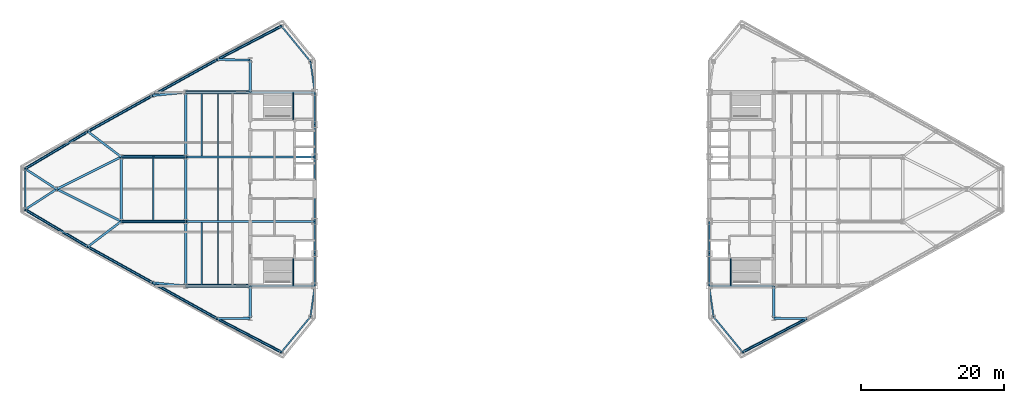
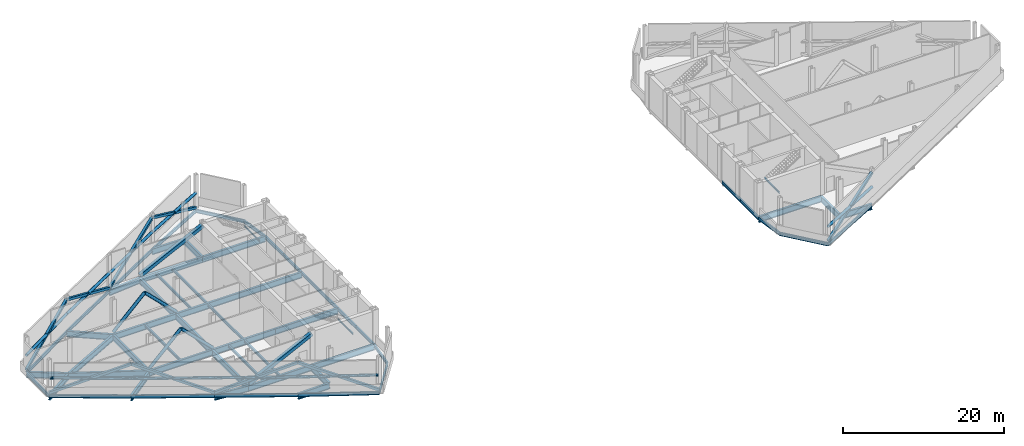
# One storey, part 3 of 11: 61 beams, 24 members.
"""IFC4 building model written with IfcOpenShell, lengths in metres."""

from ifc_helpers import new_model, si_unit, direction, frame, origin, origin_2d, place, context, subcontext, project, spatial, hollow_rectangle, hollow_circle, i_section, extrude, source, transform, mapped, material, material_profile, profile_set, type_object, type_shapes, element, save


model = new_model("IFC4")

# Units and contexts
model_context = context("Model", 3, precision=1e-05, world=origin(), true_north=direction((0.0, 1.0)))
body_context = subcontext(model_context, "Body", "Model", "MODEL_VIEW")
ifc_project = project(units=[si_unit("LENGTHUNIT", "METRE"), si_unit("AREAUNIT", "SQUARE_METRE"), si_unit("VOLUMEUNIT", "CUBIC_METRE"), si_unit("PLANEANGLEUNIT", "RADIAN"), si_unit("MASSUNIT", "GRAM", prefix="KILO")], contexts=[model_context])

# Site, building, storey
site_placement = place(None, origin())
site = spatial("IfcSite", under=ifc_project, at=site_placement, CompositionType="ELEMENT")
building_placement = place(site_placement, origin())
building = spatial("IfcBuilding", under=site, at=building_placement, Name="Seokmaru Belvedere", CompositionType="ELEMENT")
storey_placement = place(building_placement, frame((0.0, 0.0, 162.0)))
storey = spatial("IfcBuildingStorey", under=building, at=storey_placement, Name="L43", CompositionType="ELEMENT", Elevation=162.0)

# Beams
ifc_material_1 = material(Name="Steel SM355 (355 MPa)", Category="steel")
ifc_material_profile_1 = material_profile(ifc_material_1, i_section(OverallWidth=0.199951171875, OverallDepth=0.5, WebThickness=0.010009765625, FlangeThickness=0.01611328125, at=origin_2d()), Name="H-500x200x10x16")
ifc_profile_set_1 = profile_set([ifc_material_profile_1], Name="Steel SM355 (355 MPa)")
beam_type_1 = type_object("IfcBeamType", Name="Perimeter Spandrel Beam H-500", PredefinedType="SPANDREL", material=ifc_profile_set_1)
shared_shape_1 = source(origin(), body_context, "Body", "SweptSolid", [
    extrude(i_section(OverallWidth=0.199951171875, OverallDepth=0.5, WebThickness=0.010009765625, FlangeThickness=0.01611328125, at=origin_2d()), origin(), (0.0, 0.0, 1.0), 4.5),
])
for number, where, z_axis, x_axis, name in (
    (1, (-27.5, -13.5, -0.510009765625), (0.0, 1.0, 0.0), (-1.0, 0.0, 0.0), "L43 W Portal Spine Spandrel 1"),
    (2, (-27.5, -9.0, -0.510009765625), (0.0, 1.0, 0.0), (-1.0, 0.0, 0.0), "L43 W Portal Spine Spandrel 2"),
    (3, (-27.5, 4.5, -0.510009765625), (0.0, 1.0, 0.0), (-1.0, 0.0, 0.0), "L43 W Portal Spine Spandrel 4"),
    (4, (-27.5, 9.0, -0.510009765625), (0.0, 1.0, 0.0), (-1.0, 0.0, 0.0), "L43 W Portal Spine Spandrel 5"),
    (5, (27.5, -13.5, -0.510009765625), (0.0, 1.0, 0.0), (-1.0, 0.0, 0.0), "L43 E Portal Spine Spandrel 1"),
    (6, (27.5, -9.0, -0.510009765625), (0.0, 1.0, 0.0), (-1.0, 0.0, 0.0), "L43 E Portal Spine Spandrel 2"),
):
    element("IfcBeam", number, at=place(storey_placement, frame(where, z_axis=z_axis, x_axis=x_axis)), inside=storey, type_object=beam_type_1, Name=name, PredefinedType="SPANDREL", context=body_context, shape_type="MappedRepresentation", body=[
        mapped(shared_shape_1, transform((0.0, 0.0, 0.0), scale=1.0)),
    ])
shared_shape_2 = source(origin(), body_context, "Body", "SweptSolid", [
    extrude(i_section(OverallWidth=0.199951171875, OverallDepth=0.5, WebThickness=0.010009765625, FlangeThickness=0.01611328125, at=origin_2d()), origin(), (0.0, 0.0, 1.0), 9.0),
])
beam_1_placement = place(storey_placement, frame((-27.5, -4.5, -0.510009765625), z_axis=(0.0, 1.0, 0.0), x_axis=(-1.0, 0.0, 0.0)))
element("IfcBeam", 7, at=beam_1_placement, inside=storey, type_object=beam_type_1, Name="L43 W Portal Spine Spandrel 3", PredefinedType="SPANDREL", context=body_context, shape_type="MappedRepresentation", body=[
    mapped(shared_shape_2, transform((0.0, 0.0, 0.0), scale=1.0)),
])
ifc_material_profile_2 = material_profile(ifc_material_1, i_section(OverallWidth=0.300048828125, OverallDepth=0.89990234375, WebThickness=0.01611328125, FlangeThickness=0.028076171875, at=origin_2d()), Name="H-900x300x16x28")
ifc_profile_set_2 = profile_set([ifc_material_profile_2], Name="Steel SM355 (355 MPa)")
beam_type_2 = type_object("IfcBeamType", Name="Refuge Floor Girder H-900", PredefinedType="BEAM", material=ifc_profile_set_2)
shared_shape_3 = source(origin(), body_context, "Body", "SweptSolid", [
    extrude(i_section(OverallWidth=0.300048828125, OverallDepth=0.89990234375, WebThickness=0.01611328125, FlangeThickness=0.028076171875, at=origin_2d()), origin(), (0.0, 0.0, 1.0), 4.5),
])
for number, where, z_axis, x_axis, name in (
    (8, (-36.5, -18.0, -0.7099609375), (0.0, 1.0, 0.0), (-1.0, 0.0, 0.0), "L43 W Core Shoulder Girder S"),
    (9, (-36.5, 13.5, -0.7099609375), (0.0, 1.0, 0.0), (-1.0, 0.0, 0.0), "L43 W Core Shoulder Girder N"),
    (10, (36.5, -18.0, -0.7099609375), (0.0, 1.0, 0.0), (-1.0, 0.0, 0.0), "L43 E Core Shoulder Girder S"),
):
    element("IfcBeam", number, at=place(storey_placement, frame(where, z_axis=z_axis, x_axis=x_axis)), inside=storey, type_object=beam_type_2, Name=name, PredefinedType="BEAM", context=body_context, shape_type="MappedRepresentation", body=[
        mapped(shared_shape_3, transform((0.0, 0.0, 0.0), scale=1.0)),
    ])
shared_shape_4 = source(origin(), body_context, "Body", "SweptSolid", [
    extrude(i_section(OverallWidth=0.300048828125, OverallDepth=0.89990234375, WebThickness=0.01611328125, FlangeThickness=0.028076171875, at=origin_2d()), origin(), (0.0, 0.0, 1.0), 9.0),
])
for number, where, z_axis, x_axis, name in (
    (11, (-45.5, -13.5, -0.7099609375), (0.0, 1.0, 0.0), (-1.0, 0.0, 0.0), "L43 W Interior Grid Girder 1"),
    (12, (-45.5, -4.5, -0.7099609375), (0.0, 1.0, 0.0), (-1.0, 0.0, 0.0), "L43 W Interior Grid Girder 2"),
    (13, (-45.5, 4.5, -0.7099609375), (0.0, 1.0, 0.0), (-1.0, 0.0, 0.0), "L43 W Interior Grid Girder 3"),
    (14, (-36.5, -13.5, -0.7099609375), (1.0, 0.0, 0.0), (0.0, 1.0, 0.0), "L43 W Core Tie Girder 1"),
    (15, (-45.5, -13.5, -0.7099609375), (1.0, 0.0, 0.0), (0.0, 1.0, 0.0), "L43 W Wing Primary Girder 1"),
    (16, (-36.5, -4.5, -0.7099609375), (1.0, 0.0, 0.0), (0.0, 1.0, 0.0), "L43 W Core Tie Girder 2"),
    (17, (-45.5, -4.5, -0.7099609375), (1.0, 0.0, 0.0), (0.0, 1.0, 0.0), "L43 W Wing Primary Girder 2"),
    (18, (-36.5, 4.5, -0.7099609375), (1.0, 0.0, 0.0), (0.0, 1.0, 0.0), "L43 W Core Tie Girder 3"),
    (19, (-45.5, 4.5, -0.7099609375), (1.0, 0.0, 0.0), (0.0, 1.0, 0.0), "L43 W Wing Primary Girder 3"),
    (20, (-36.5, 13.5, -0.7099609375), (1.0, 0.0, 0.0), (0.0, 1.0, 0.0), "L43 W Core Tie Girder 4"),
    (21, (-45.5, 13.5, -0.7099609375), (1.0, 0.0, 0.0), (0.0, 1.0, 0.0), "L43 W Wing Primary Girder 4"),
    (22, (-54.5, -4.5, -0.7099609375), (1.0, 0.0, 0.0), (0.0, 1.0, 0.0), "L43 W Outer Wing Girder 1"),
    (23, (-54.5, 4.5, -0.7099609375), (1.0, 0.0, 0.0), (0.0, 1.0, 0.0), "L43 W Outer Wing Girder 2"),
    (24, (-54.5, -4.5, -0.7099609375), (0.0, 1.0, 0.0), (-1.0, 0.0, 0.0), "L43 W Apex Frame Girder"),
    (25, (27.5, -13.5, -0.7099609375), (1.0, 0.0, 0.0), (0.0, 1.0, 0.0), "L43 E Core Tie Girder 1"),
):
    element("IfcBeam", number, at=place(storey_placement, frame(where, z_axis=z_axis, x_axis=x_axis)), inside=storey, type_object=beam_type_2, Name=name, PredefinedType="BEAM", context=body_context, shape_type="MappedRepresentation", body=[
        mapped(shared_shape_4, transform((0.0, 0.0, 0.0), scale=1.0)),
    ])
shared_shape_5 = source(origin(), body_context, "Body", "SweptSolid", [
    extrude(i_section(OverallWidth=0.300048828125, OverallDepth=0.89990234375, WebThickness=0.01611328125, FlangeThickness=0.028076171875, at=origin_2d()), origin(), (0.0, 0.0, 1.0), 10.062255859375),
])
for number, where, z_axis, x_axis, name in (
    (26, (-54.5, -4.5, -0.7099609375), (-0.894427191, 0.4472135955, 0.0), (-0.4472135955, -0.894427191, 0.0), "L43 W Apex Converging Girder 1"),
    (27, (-54.5, 4.5, -0.7099609375), (-0.894427191, -0.4472135955, 0.0), (0.4472135955, -0.894427191, 0.0), "L43 W Apex Converging Girder 2"),
):
    element("IfcBeam", number, at=place(storey_placement, frame(where, z_axis=z_axis, x_axis=x_axis)), inside=storey, type_object=beam_type_2, Name=name, PredefinedType="BEAM", context=body_context, shape_type="MappedRepresentation", body=[
        mapped(shared_shape_5, transform((0.0, 0.0, 0.0), scale=1.0)),
    ])
ifc_material_profile_3 = material_profile(ifc_material_1, i_section(OverallWidth=0.199951171875, OverallDepth=0.39990234375, WebThickness=0.008056640625, FlangeThickness=0.012939453125, at=origin_2d()), Name="H-400x200x8x13")
ifc_profile_set_3 = profile_set([ifc_material_profile_3], Name="Steel SM355 (355 MPa)")
beam_type_3 = type_object("IfcBeamType", Name="Secondary Floor Joist H-400", PredefinedType="JOIST", material=ifc_profile_set_3)
shared_shape_6 = source(origin(), body_context, "Body", "SweptSolid", [
    extrude(i_section(OverallWidth=0.199951171875, OverallDepth=0.39990234375, WebThickness=0.008056640625, FlangeThickness=0.012939453125, at=origin_2d()), origin(), (0.0, 0.0, 1.0), 8.68994140625),
])
type_shapes(beam_type_3, [shared_shape_6])
for number, where, z_axis, x_axis, name in (
    (28, (-43.25, -13.344970703125, -0.4599609375), (0.0, 1.0, 0.0), (-1.0, 0.0, 0.0), "L43 W Wing Inner Secondary Joist 1"),
    (29, (-43.25, 4.655029296875, -0.4599609375), (0.0, 1.0, 0.0), (-1.0, 0.0, 0.0), "L43 W Wing Inner Secondary Joist 2"),
    (30, (-41.0, -13.344970703125, -0.4599609375), (0.0, 1.0, 0.0), (-1.0, 0.0, 0.0), "L43 W Secondary Floor Joist 1"),
    (31, (-41.0, -4.344970703125, -0.4599609375), (0.0, 1.0, 0.0), (-1.0, 0.0, 0.0), "L43 W Secondary Floor Joist 2"),
    (32, (-41.0, 4.655029296875, -0.4599609375), (0.0, 1.0, 0.0), (-1.0, 0.0, 0.0), "L43 W Secondary Floor Joist 3"),
    (33, (-50.0, -4.344970703125, -0.4599609375), (0.0, 1.0, 0.0), (-1.0, 0.0, 0.0), "L43 W Outer Bay Secondary Joist"),
):
    element("IfcBeam", number, at=place(storey_placement, frame(where, z_axis=z_axis, x_axis=x_axis)), inside=storey, type_object=beam_type_3, Name=name, PredefinedType="JOIST", context=body_context, shape_type="MappedRepresentation", body=[
        mapped(shared_shape_6, transform((0.0, 0.0, 0.0), scale=1.0)),
    ])
shared_shape_7 = source(origin(), body_context, "Body", "SweptSolid", [
    extrude(i_section(OverallWidth=0.199951171875, OverallDepth=0.5, WebThickness=0.010009765625, FlangeThickness=0.01611328125, at=origin_2d()), origin(), (0.0, 0.0, 1.0), 10.09716796875),
])
for number, where, z_axis, x_axis, name in (
    (34, (-32.146728515625, -22.731689453125, -0.510009765625), (-0.887085728914, 0.461604711369, 0.0), (-0.461604711369, -0.887085728914, 0.0), "L43 W Faceted Flank Spandrel S-1"),
    (35, (-32.146728515625, 22.731689453125, -0.510009765625), (-0.887085728914, -0.461604711369, 0.0), (0.461604711369, -0.887085728914, 0.0), "L43 W Faceted Flank Spandrel N-1"),
    (36, (32.146728515625, -22.731689453125, -0.510009765625), (0.887085728914, 0.461604711369, 0.0), (-0.461604711369, 0.887085728914, 0.0), "L43 E Faceted Flank Spandrel S-1"),
):
    element("IfcBeam", number, at=place(storey_placement, frame(where, z_axis=z_axis, x_axis=x_axis)), inside=storey, type_object=beam_type_1, Name=name, PredefinedType="SPANDREL", context=body_context, shape_type="MappedRepresentation", body=[
        mapped(shared_shape_7, transform((0.0, 0.0, 0.0), scale=1.0)),
    ])
shared_shape_8 = source(origin(), body_context, "Body", "SweptSolid", [
    extrude(i_section(OverallWidth=0.199951171875, OverallDepth=0.5, WebThickness=0.010009765625, FlangeThickness=0.01611328125, at=origin_2d()), origin(), (0.0, 0.0, 1.0), 10.327392578125),
])
for number, where, z_axis, x_axis, name in (
    (37, (-41.103759765625, -18.07080078125, -0.510009765625), (-0.873924120588, 0.486062374037, 0.0), (-0.486062374037, -0.873924120588, 0.0), "L43 W Faceted Flank Spandrel S-2"),
    (38, (-50.129150390625, -13.051025390625, -0.510009765625), (-0.873934162361, 0.48604431882, 0.0), (-0.48604431882, -0.873934162361, 0.0), "L43 W Faceted Flank Spandrel S-3"),
    (39, (-41.103759765625, 18.07080078125, -0.510009765625), (-0.873924120588, -0.486062374037, 0.0), (0.486062374037, -0.873924120588, 0.0), "L43 W Faceted Flank Spandrel N-2"),
    (40, (-50.129150390625, 13.051025390625, -0.510009765625), (-0.873934162361, -0.48604431882, 0.0), (0.48604431882, -0.873934162361, 0.0), "L43 W Faceted Flank Spandrel N-3"),
):
    element("IfcBeam", number, at=place(storey_placement, frame(where, z_axis=z_axis, x_axis=x_axis)), inside=storey, type_object=beam_type_1, Name=name, PredefinedType="SPANDREL", context=body_context, shape_type="MappedRepresentation", body=[
        mapped(shared_shape_8, transform((0.0, 0.0, 0.0), scale=1.0)),
    ])
shared_shape_9 = source(origin(), body_context, "Body", "SweptSolid", [
    extrude(i_section(OverallWidth=0.199951171875, OverallDepth=0.5, WebThickness=0.010009765625, FlangeThickness=0.01611328125, at=origin_2d()), origin(), (0.0, 0.0, 1.0), 10.16650390625),
])
for number, where, z_axis, x_axis, name in (
    (41, (-59.154541015625, -8.031494140625, -0.510009765625), (-0.860209996506, 0.509939959124, 0.0), (-0.509939959124, -0.860209996506, 0.0), "L43 W Faceted Flank Spandrel S-4"),
    (42, (-59.154541015625, 8.031494140625, -0.510009765625), (-0.860209996506, -0.509939959124, 0.0), (0.509939959124, -0.860209996506, 0.0), "L43 W Faceted Flank Spandrel N-4"),
):
    element("IfcBeam", number, at=place(storey_placement, frame(where, z_axis=z_axis, x_axis=x_axis)), inside=storey, type_object=beam_type_1, Name=name, PredefinedType="SPANDREL", context=body_context, shape_type="MappedRepresentation", body=[
        mapped(shared_shape_9, transform((0.0, 0.0, 0.0), scale=1.0)),
    ])
shared_shape_10 = source(origin(), body_context, "Body", "SweptSolid", [
    extrude(i_section(OverallWidth=0.199951171875, OverallDepth=0.5, WebThickness=0.010009765625, FlangeThickness=0.01611328125, at=origin_2d()), origin(), (0.0, 0.0, 1.0), 5.6943359375),
])
beam_2_placement = place(storey_placement, frame((-67.89990234375, -2.84716796875, -0.510009765625), z_axis=(0.0, 1.0, 0.0), x_axis=(-1.0, 0.0, 0.0)))
element("IfcBeam", 43, at=beam_2_placement, inside=storey, type_object=beam_type_1, Name="L43 W Faceted Apex Spandrel", PredefinedType="SPANDREL", context=body_context, shape_type="MappedRepresentation", body=[
    mapped(shared_shape_10, transform((0.0, 0.0, 0.0), scale=1.0)),
])
shared_shape_11 = source(origin(), body_context, "Body", "SweptSolid", [
    extrude(i_section(OverallWidth=0.199951171875, OverallDepth=0.5, WebThickness=0.010009765625, FlangeThickness=0.01611328125, at=origin_2d()), origin(), (0.0, 0.0, 1.0), 6.390380859375),
])
for number, where, z_axis, x_axis, name in (
    (44, (-32.146728515625, -22.731689453125, -0.510009765625), (0.63324403161, 0.7739521926, 0.0), (-0.7739521926, 0.63324403161, 0.0), "L43 W Shoulder Chamfer Spandrel S"),
    (45, (-32.146728515625, 22.731689453125, -0.510009765625), (0.63324403161, -0.7739521926, 0.0), (0.7739521926, 0.63324403161, 0.0), "L43 W Shoulder Chamfer Spandrel N"),
    (46, (32.146728515625, -22.731689453125, -0.510009765625), (-0.63324403161, 0.7739521926, 0.0), (-0.7739521926, -0.63324403161, 0.0), "L43 E Shoulder Chamfer Spandrel S"),
):
    element("IfcBeam", number, at=place(storey_placement, frame(where, z_axis=z_axis, x_axis=x_axis)), inside=storey, type_object=beam_type_1, Name=name, PredefinedType="SPANDREL", context=body_context, shape_type="MappedRepresentation", body=[
        mapped(shared_shape_11, transform((0.0, 0.0, 0.0), scale=1.0)),
    ])
shared_shape_12 = source(origin(), body_context, "Body", "SweptSolid", [
    extrude(i_section(OverallWidth=0.199951171875, OverallDepth=0.5, WebThickness=0.010009765625, FlangeThickness=0.01611328125, at=origin_2d()), origin(), (0.0, 0.0, 1.0), 4.32763671875),
])
type_shapes(beam_type_1, [shared_shape_1, shared_shape_2, shared_shape_7, shared_shape_8, shared_shape_9, shared_shape_10, shared_shape_11, shared_shape_12])
for number, where, z_axis, x_axis, name in (
    (47, (-28.10009765625, -17.785888671875, -0.510009765625), (0.138664443237, 0.990339422714, 0.0), (-0.990339422714, 0.138664443237, 0.0), "L43 W Shoulder Spine Spandrel S"),
    (48, (-28.10009765625, 17.785888671875, -0.510009765625), (0.138664443237, -0.990339422714, 0.0), (0.990339422714, 0.138664443237, 0.0), "L43 W Shoulder Spine Spandrel N"),
    (49, (28.10009765625, -17.785888671875, -0.510009765625), (-0.138664443237, 0.990339422714, 0.0), (-0.990339422714, -0.138664443237, 0.0), "L43 E Shoulder Spine Spandrel S"),
):
    element("IfcBeam", number, at=place(storey_placement, frame(where, z_axis=z_axis, x_axis=x_axis)), inside=storey, type_object=beam_type_1, Name=name, PredefinedType="SPANDREL", context=body_context, shape_type="MappedRepresentation", body=[
        mapped(shared_shape_12, transform((0.0, 0.0, 0.0), scale=1.0)),
    ])
shared_shape_13 = source(origin(), body_context, "Body", "SweptSolid", [
    extrude(i_section(OverallWidth=0.300048828125, OverallDepth=0.89990234375, WebThickness=0.01611328125, FlangeThickness=0.028076171875, at=origin_2d()), origin(), (0.0, 0.0, 1.0), 4.604248046875),
])
for number, where, z_axis, x_axis, name in (
    (50, (-41.103759765625, -18.07080078125, -0.7099609375), (0.999881765622, 0.01537708607, 0.0), (-0.01537708607, 0.999881765622, 0.0), "L43 W Flank Radial Floor Girder S-1"),
    (51, (-41.103759765625, 18.07080078125, -0.7099609375), (0.999881765622, -0.01537708607, 0.0), (0.01537708607, 0.999881765622, 0.0), "L43 W Flank Radial Floor Girder N-1"),
    (52, (41.103759765625, -18.07080078125, -0.7099609375), (-0.999881765622, 0.01537708607, 0.0), (-0.01537708607, -0.999881765622, 0.0), "L43 E Flank Radial Floor Girder S-1"),
):
    element("IfcBeam", number, at=place(storey_placement, frame(where, z_axis=z_axis, x_axis=x_axis)), inside=storey, type_object=beam_type_2, Name=name, PredefinedType="BEAM", context=body_context, shape_type="MappedRepresentation", body=[
        mapped(shared_shape_13, transform((0.0, 0.0, 0.0), scale=1.0)),
    ])
shared_shape_14 = source(origin(), body_context, "Body", "SweptSolid", [
    extrude(i_section(OverallWidth=0.300048828125, OverallDepth=0.89990234375, WebThickness=0.01611328125, FlangeThickness=0.028076171875, at=origin_2d()), origin(), (0.0, 0.0, 1.0), 4.65087890625),
])
for number, where, z_axis, x_axis, name in (
    (53, (-50.129150390625, -13.051025390625, -0.7099609375), (0.995329534874, -0.09653557379, 0.0), (0.09653557379, 0.995329534874, 0.0), "L43 W Flank Radial Floor Girder S-2"),
    (54, (-50.129150390625, 13.051025390625, -0.7099609375), (0.995329534874, 0.09653557379, 0.0), (-0.09653557379, 0.995329534874, 0.0), "L43 W Flank Radial Floor Girder N-2"),
):
    element("IfcBeam", number, at=place(storey_placement, frame(where, z_axis=z_axis, x_axis=x_axis)), inside=storey, type_object=beam_type_2, Name=name, PredefinedType="BEAM", context=body_context, shape_type="MappedRepresentation", body=[
        mapped(shared_shape_14, transform((0.0, 0.0, 0.0), scale=1.0)),
    ])
shared_shape_15 = source(origin(), body_context, "Body", "SweptSolid", [
    extrude(i_section(OverallWidth=0.300048828125, OverallDepth=0.89990234375, WebThickness=0.01611328125, FlangeThickness=0.028076171875, at=origin_2d()), origin(), (0.0, 0.0, 1.0), 5.842529296875),
])
for number, where, z_axis, x_axis, name in (
    (55, (-59.154541015625, -8.031494140625, -0.7099609375), (0.796653109879, 0.604436781243, 0.0), (-0.604436781243, 0.796653109879, 0.0), "L43 W Flank Radial Floor Girder S-3"),
    (56, (-59.154541015625, 8.031494140625, -0.7099609375), (0.796653109879, -0.604436781243, 0.0), (0.604436781243, 0.796653109879, 0.0), "L43 W Flank Radial Floor Girder N-3"),
):
    element("IfcBeam", number, at=place(storey_placement, frame(where, z_axis=z_axis, x_axis=x_axis)), inside=storey, type_object=beam_type_2, Name=name, PredefinedType="BEAM", context=body_context, shape_type="MappedRepresentation", body=[
        mapped(shared_shape_15, transform((0.0, 0.0, 0.0), scale=1.0)),
    ])
shared_shape_16 = source(origin(), body_context, "Body", "SweptSolid", [
    extrude(i_section(OverallWidth=0.300048828125, OverallDepth=0.89990234375, WebThickness=0.01611328125, FlangeThickness=0.028076171875, at=origin_2d()), origin(), (0.0, 0.0, 1.0), 5.24072265625),
])
type_shapes(beam_type_2, [shared_shape_3, shared_shape_4, shared_shape_5, shared_shape_13, shared_shape_14, shared_shape_15, shared_shape_16])
for number, where, z_axis, x_axis, name in (
    (57, (-67.89990234375, -2.84716796875, -0.7099609375), (0.839555158729, 0.543274456836, 0.0), (-0.543274456836, 0.839555158729, 0.0), "L43 W Apex Radial Floor Girder 1"),
    (58, (-67.89990234375, 2.84716796875, -0.7099609375), (0.839555158729, -0.543274456836, 0.0), (0.543274456836, 0.839555158729, 0.0), "L43 W Apex Radial Floor Girder 2"),
):
    element("IfcBeam", number, at=place(storey_placement, frame(where, z_axis=z_axis, x_axis=x_axis)), inside=storey, type_object=beam_type_2, Name=name, PredefinedType="BEAM", context=body_context, shape_type="MappedRepresentation", body=[
        mapped(shared_shape_16, transform((0.0, 0.0, 0.0), scale=1.0)),
    ])

# Members
ifc_material_2 = material(Name="Steel HSA650 (650 MPa)", Category="steel")
ifc_material_profile_4 = material_profile(ifc_material_2, hollow_rectangle(XDim=0.5, YDim=0.5, WallThickness=0.02001953125, at=origin_2d()), Name="HSS-500x500x20")
ifc_profile_set_4 = profile_set([ifc_material_profile_4], Name="Steel HSA650 (650 MPa)")
member_type_1 = type_object("IfcMemberType", Name="Outrigger Truss Diagonal HSS-500", PredefinedType="BRACE", material=ifc_profile_set_4)
shared_shape_17 = source(origin(), body_context, "Body", "SweptSolid", [
    extrude(hollow_rectangle(XDim=0.5, YDim=0.5, WallThickness=0.02001953125, at=origin_2d()), origin(), (0.0, 0.0, 1.0), 10.03125),
])
type_shapes(member_type_1, [shared_shape_17])
for number, where, z_axis, x_axis, name in (
    (59, (-45.5, -13.5, 0.0), (0.897203761247, 0.0, 0.441616814449), (0.0, 1.0, 0.0), "L43 W Outrigger Truss Diagonal 1A"),
    (60, (-45.5, 13.5, 0.0), (0.897203761247, 0.0, 0.441616814449), (0.0, 1.0, 0.0), "L43 W Outrigger Truss Diagonal 4A"),
):
    element("IfcMember", number, at=place(storey_placement, frame(where, z_axis=z_axis, x_axis=x_axis)), inside=storey, type_object=member_type_1, Name=name, PredefinedType="BRACE", context=body_context, shape_type="MappedRepresentation", body=[
        mapped(shared_shape_17, transform((0.0, 0.0, 0.0), scale=1.0)),
    ])
ifc_material_profile_5 = material_profile(ifc_material_2, hollow_circle(Radius=0.228515625, WallThickness=0.01611328125, at=origin_2d()), Name="CHS-457.2x16.0")
ifc_profile_set_5 = profile_set([ifc_material_profile_5], Name="Steel HSA650 (650 MPa)")
member_type_2 = type_object("IfcMemberType", Name="Outrigger Tie Strut CHS-457", PredefinedType="BRACE", material=ifc_profile_set_5)
shared_shape_18 = source(origin(), body_context, "Body", "SweptSolid", [
    extrude(hollow_circle(Radius=0.228515625, WallThickness=0.01611328125, at=origin_2d()), origin(), (0.0, 0.0, 1.0), 6.314697265625),
])
type_shapes(member_type_2, [shared_shape_18])
for number, where, z_axis, x_axis, name in (
    (61, (-45.5, -4.5, 0.0), (-0.712633129905, 0.0, 0.701536900072), (0.0, -1.0, 0.0), "L43 W Outrigger Truss Diagonal 2A"),
    (62, (-54.5, -4.5, 0.0), (0.712633129905, 0.0, 0.701536900072), (0.0, 1.0, 0.0), "L43 W Outrigger Truss Diagonal 2B"),
    (63, (-45.5, 4.5, 0.0), (-0.712633129905, 0.0, 0.701536900072), (0.0, -1.0, 0.0), "L43 W Outrigger Truss Diagonal 3A"),
    (64, (-54.5, 4.5, 0.0), (0.712633129905, 0.0, 0.701536900072), (0.0, 1.0, 0.0), "L43 W Outrigger Truss Diagonal 3B"),
):
    element("IfcMember", number, at=place(storey_placement, frame(where, z_axis=z_axis, x_axis=x_axis)), inside=storey, type_object=member_type_2, Name=name, PredefinedType="BRACE", context=body_context, shape_type="MappedRepresentation", body=[
        mapped(shared_shape_18, transform((0.0, 0.0, 0.0), scale=1.0)),
    ])
ifc_material_profile_6 = material_profile(ifc_material_2, hollow_rectangle(XDim=0.35009765625, YDim=0.35009765625, WallThickness=0.013916015625, at=origin_2d()), Name="HSS-350x350x14")
ifc_profile_set_6 = profile_set([ifc_material_profile_6], Name="Steel HSA650 (650 MPa)")
member_type_3 = type_object("IfcMemberType", Name="Belt Truss Diagonal HSS-350", PredefinedType="BRACE", material=ifc_profile_set_6)
shared_shape_19 = source(origin(), body_context, "Body", "SweptSolid", [
    extrude(hollow_rectangle(XDim=0.35009765625, YDim=0.35009765625, WallThickness=0.013916015625, at=origin_2d()), origin(), (0.0, 0.0, 1.0), 11.026123046875),
])
for number, where, z_axis, x_axis, name in (
    (65, (-32.146728515625, -22.731689453125, 0.0), (-0.812342390961, 0.422711202187, 0.401764955407), (-0.461604711369, -0.887085728914, 0.0), "L43 W Perimeter Belt Truss Brace 1"),
    (66, (-32.146728515625, 22.731689453125, 0.0), (-0.812342390961, -0.422711202187, 0.401764955407), (0.461604711369, -0.887085728914, 0.0), "L43 W Perimeter Belt Truss Brace 5"),
    (67, (32.146728515625, -22.731689453125, 0.0), (0.812342390961, 0.422711202187, 0.401764955407), (-0.461604711369, 0.887085728914, 0.0), "L43 E Perimeter Belt Truss Brace 1"),
):
    element("IfcMember", number, at=place(storey_placement, frame(where, z_axis=z_axis, x_axis=x_axis)), inside=storey, type_object=member_type_3, Name=name, PredefinedType="BRACE", context=body_context, shape_type="MappedRepresentation", body=[
        mapped(shared_shape_19, transform((0.0, 0.0, 0.0), scale=1.0)),
    ])
ifc_material_profile_7 = material_profile(ifc_material_1, hollow_circle(Radius=0.203125, WallThickness=0.01416015625, at=origin_2d()), Name="CHS-406.4x14.2")
ifc_profile_set_7 = profile_set([ifc_material_profile_7], Name="Steel SM355 (355 MPa)")
member_type_4 = type_object("IfcMemberType", Name="Belt Truss Chord Member CHS-406", PredefinedType="CHORD", material=ifc_profile_set_7)
shared_shape_20 = source(origin(), body_context, "Body", "SweptSolid", [
    extrude(hollow_circle(Radius=0.203125, WallThickness=0.01416015625, at=origin_2d()), origin(), (0.0, 0.0, 1.0), 10.09716796875),
])
for number, where, z_axis, x_axis, name in (
    (68, (-32.146728515625, -22.731689453125, 2.215087890625), (-0.887085728914, 0.461604711369, 0.0), (-0.461604711369, -0.887085728914, 0.0), "L43 W Perimeter Belt Truss Chord 1"),
    (69, (-32.146728515625, 22.731689453125, 2.215087890625), (-0.887085728914, -0.461604711369, 0.0), (0.461604711369, -0.887085728914, 0.0), "L43 W Perimeter Belt Truss Chord 5"),
    (70, (32.146728515625, -22.731689453125, 2.215087890625), (0.887085728914, 0.461604711369, 0.0), (-0.461604711369, 0.887085728914, 0.0), "L43 E Perimeter Belt Truss Chord 1"),
):
    element("IfcMember", number, at=place(storey_placement, frame(where, z_axis=z_axis, x_axis=x_axis)), inside=storey, type_object=member_type_4, Name=name, PredefinedType="CHORD", context=body_context, shape_type="MappedRepresentation", body=[
        mapped(shared_shape_20, transform((0.0, 0.0, 0.0), scale=1.0)),
    ])
shared_shape_21 = source(origin(), body_context, "Body", "SweptSolid", [
    extrude(hollow_rectangle(XDim=0.35009765625, YDim=0.35009765625, WallThickness=0.013916015625, at=origin_2d()), origin(), (0.0, 0.0, 1.0), 11.237548828125),
])
for number, where, z_axis, x_axis, name in (
    (71, (-41.103759765625, -18.07080078125, 4.429931640625), (-0.803153438011, 0.446700872077, -0.394211727243), (-0.486062374037, -0.873924120588, 0.0), "L43 W Perimeter Belt Truss Brace 2"),
    (72, (-41.103759765625, 18.07080078125, 4.429931640625), (-0.803153438011, -0.446700872077, -0.394211727243), (0.486062374037, -0.873924120588, 0.0), "L43 W Perimeter Belt Truss Brace 6"),
):
    element("IfcMember", number, at=place(storey_placement, frame(where, z_axis=z_axis, x_axis=x_axis)), inside=storey, type_object=member_type_3, Name=name, PredefinedType="BRACE", context=body_context, shape_type="MappedRepresentation", body=[
        mapped(shared_shape_21, transform((0.0, 0.0, 0.0), scale=1.0)),
    ])
shared_shape_22 = source(origin(), body_context, "Body", "SweptSolid", [
    extrude(hollow_circle(Radius=0.203125, WallThickness=0.01416015625, at=origin_2d()), origin(), (0.0, 0.0, 1.0), 10.327392578125),
])
for number, where, z_axis, x_axis, name in (
    (73, (-41.103759765625, -18.07080078125, 2.215087890625), (-0.873924120588, 0.486062374037, 0.0), (-0.486062374037, -0.873924120588, 0.0), "L43 W Perimeter Belt Truss Chord 2"),
    (74, (-50.129150390625, -13.051025390625, 2.215087890625), (-0.873934162361, 0.48604431882, 0.0), (-0.48604431882, -0.873934162361, 0.0), "L43 W Perimeter Belt Truss Chord 3"),
    (75, (-41.103759765625, 18.07080078125, 2.215087890625), (-0.873924120588, -0.486062374037, 0.0), (0.486062374037, -0.873924120588, 0.0), "L43 W Perimeter Belt Truss Chord 6"),
    (76, (-50.129150390625, 13.051025390625, 2.215087890625), (-0.873934162361, -0.48604431882, 0.0), (0.48604431882, -0.873934162361, 0.0), "L43 W Perimeter Belt Truss Chord 7"),
):
    element("IfcMember", number, at=place(storey_placement, frame(where, z_axis=z_axis, x_axis=x_axis)), inside=storey, type_object=member_type_4, Name=name, PredefinedType="CHORD", context=body_context, shape_type="MappedRepresentation", body=[
        mapped(shared_shape_22, transform((0.0, 0.0, 0.0), scale=1.0)),
    ])
shared_shape_23 = source(origin(), body_context, "Body", "SweptSolid", [
    extrude(hollow_rectangle(XDim=0.35009765625, YDim=0.35009765625, WallThickness=0.013916015625, at=origin_2d()), origin(), (0.0, 0.0, 1.0), 11.2373046875),
])
for number, where, z_axis, x_axis, name in (
    (77, (-50.129150390625, -13.051025390625, 0.0), (-0.803161232429, 0.446683481355, 0.394215552976), (-0.48604431882, -0.873934162361, 0.0), "L43 W Perimeter Belt Truss Brace 3"),
    (78, (-50.129150390625, 13.051025390625, 0.0), (-0.803161232429, -0.446683481355, 0.394215552976), (0.48604431882, -0.873934162361, 0.0), "L43 W Perimeter Belt Truss Brace 7"),
):
    element("IfcMember", number, at=place(storey_placement, frame(where, z_axis=z_axis, x_axis=x_axis)), inside=storey, type_object=member_type_3, Name=name, PredefinedType="BRACE", context=body_context, shape_type="MappedRepresentation", body=[
        mapped(shared_shape_23, transform((0.0, 0.0, 0.0), scale=1.0)),
    ])
shared_shape_24 = source(origin(), body_context, "Body", "SweptSolid", [
    extrude(hollow_rectangle(XDim=0.35009765625, YDim=0.35009765625, WallThickness=0.013916015625, at=origin_2d()), origin(), (0.0, 0.0, 1.0), 11.08984375),
])
type_shapes(member_type_3, [shared_shape_19, shared_shape_21, shared_shape_23, shared_shape_24])
for number, where, z_axis, x_axis, name in (
    (79, (-59.154541015625, -8.031494140625, 4.429931640625), (-0.788597568305, 0.467487489544, -0.399461290218), (-0.509939959124, -0.860209996506, 0.0), "L43 W Perimeter Belt Truss Brace 4"),
    (80, (-59.154541015625, 8.031494140625, 4.429931640625), (-0.788597568305, -0.467487489544, -0.399461290218), (0.509939959124, -0.860209996506, 0.0), "L43 W Perimeter Belt Truss Brace 8"),
):
    element("IfcMember", number, at=place(storey_placement, frame(where, z_axis=z_axis, x_axis=x_axis)), inside=storey, type_object=member_type_3, Name=name, PredefinedType="BRACE", context=body_context, shape_type="MappedRepresentation", body=[
        mapped(shared_shape_24, transform((0.0, 0.0, 0.0), scale=1.0)),
    ])
shared_shape_25 = source(origin(), body_context, "Body", "SweptSolid", [
    extrude(hollow_circle(Radius=0.203125, WallThickness=0.01416015625, at=origin_2d()), origin(), (0.0, 0.0, 1.0), 10.16650390625),
])
type_shapes(member_type_4, [shared_shape_20, shared_shape_22, shared_shape_25])
for number, where, z_axis, x_axis, name in (
    (81, (-59.154541015625, -8.031494140625, 2.215087890625), (-0.860209996506, 0.509939959124, 0.0), (-0.509939959124, -0.860209996506, 0.0), "L43 W Perimeter Belt Truss Chord 4"),
    (82, (-59.154541015625, 8.031494140625, 2.215087890625), (-0.860209996506, -0.509939959124, 0.0), (0.509939959124, -0.860209996506, 0.0), "L43 W Perimeter Belt Truss Chord 8"),
):
    element("IfcMember", number, at=place(storey_placement, frame(where, z_axis=z_axis, x_axis=x_axis)), inside=storey, type_object=member_type_4, Name=name, PredefinedType="CHORD", context=body_context, shape_type="MappedRepresentation", body=[
        mapped(shared_shape_25, transform((0.0, 0.0, 0.0), scale=1.0)),
    ])

# Beams
ifc_material_profile_8 = material_profile(ifc_material_1, i_section(OverallWidth=0.125, OverallDepth=0.25, WebThickness=0.006103515625, FlangeThickness=0.009033203125, at=origin_2d()), Name="H-250x125x6x9")
ifc_profile_set_8 = profile_set([ifc_material_profile_8], Name="Steel SM355 (355 MPa)")
beam_type_4 = type_object("IfcBeamType", Name="Stair Mid-Landing Support Beam H-250", PredefinedType="JOIST", material=ifc_profile_set_8)
shared_shape_26 = source(origin(), body_context, "Body", "SweptSolid", [
    extrude(i_section(OverallWidth=0.125, OverallDepth=0.25, WebThickness=0.006103515625, FlangeThickness=0.009033203125, at=origin_2d()), origin(), (0.0, 0.0, 1.0), 3.800048828125),
])
type_shapes(beam_type_4, [shared_shape_26])
for number, where, z_axis, x_axis, name in (
    (83, (-30.530029296875, -13.5, 2.22509765625), (0.0, 1.0, 0.0), (-1.0, 0.0, 0.0), "L43 Stair ST-W1 Mid-Landing Support Beam 1"),
    (84, (-30.530029296875, 9.699951171875, 2.22509765625), (0.0, 1.0, 0.0), (-1.0, 0.0, 0.0), "L43 Stair ST-W2 Mid-Landing Support Beam 1"),
    (85, (30.530029296875, -13.5, 2.22509765625), (0.0, 1.0, 0.0), (-1.0, 0.0, 0.0), "L43 Stair ST-E1 Mid-Landing Support Beam 1"),
):
    element("IfcBeam", number, at=place(storey_placement, frame(where, z_axis=z_axis, x_axis=x_axis)), inside=storey, type_object=beam_type_4, Name=name, PredefinedType="JOIST", context=body_context, shape_type="MappedRepresentation", body=[
        mapped(shared_shape_26, transform((0.0, 0.0, 0.0), scale=1.0)),
    ])

save(model, "model.ifc")
